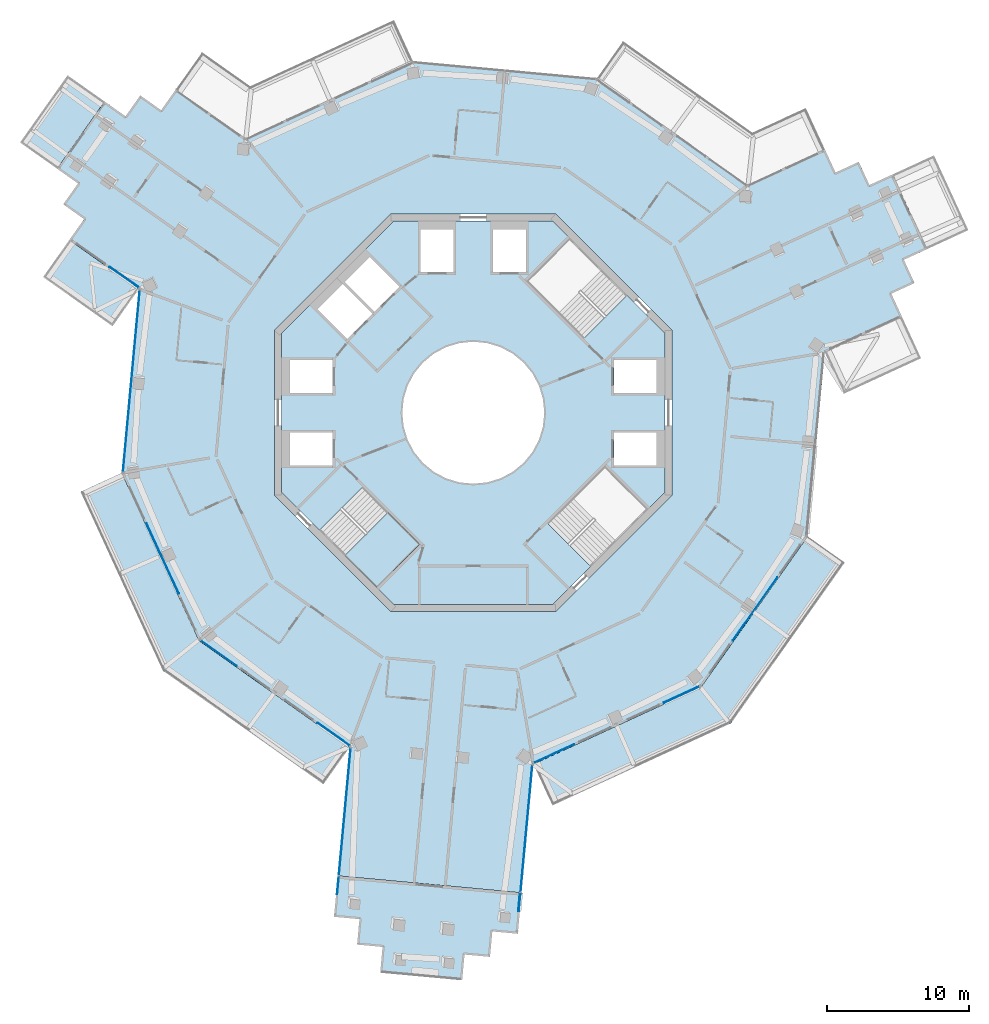
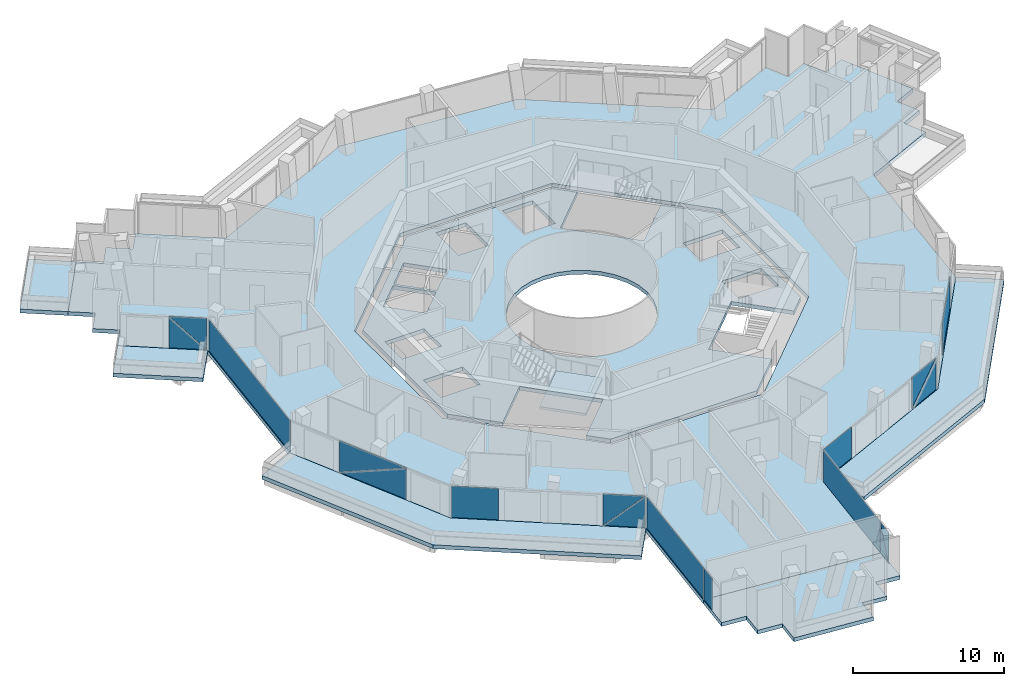
# One storey, part 12 of 23: 17 plates, 8 slabs, 9 elements without a shape of their own.
"""IFC4 building model written with IfcOpenShell, lengths in metres."""

from ifc_helpers import new_model, si_unit, direction, frame, origin, origin_2d, place, context, subcontext, project, spatial, polyline, rectangle, outline, extrude, material, layer, layer_set, type_object, element, aggregate, save


model = new_model("IFC4")

# Units and contexts
model_context = context("Model", 3, precision=1e-05, world=origin(), true_north=direction((0.0, 1.0)))
body_context = subcontext(model_context, "Body", "Model", "MODEL_VIEW")
ifc_project = project(units=[si_unit("LENGTHUNIT", "METRE"), si_unit("AREAUNIT", "SQUARE_METRE"), si_unit("VOLUMEUNIT", "CUBIC_METRE"), si_unit("PLANEANGLEUNIT", "RADIAN"), si_unit("MASSUNIT", "GRAM", prefix="KILO")], contexts=[model_context])

# Site, building, storey
site_placement = place(None, origin())
site = spatial("IfcSite", under=ifc_project, at=site_placement, CompositionType="ELEMENT")
building_placement = place(site_placement, origin())
building = spatial("IfcBuilding", under=site, at=building_placement, Name="Verdalira Terraces Hotel", CompositionType="ELEMENT")
storey_placement = place(building_placement, frame((0.0, 0.0, 256.0)))
storey = spatial("IfcBuildingStorey", under=building, at=storey_placement, Name="L63", CompositionType="ELEMENT", Elevation=256.0)

# Slabs
ifc_material_1 = material(Name="Precast concrete C40/50", Category="concrete")
ifc_layer_1 = layer(ifc_material_1, 0.31005859375)
ifc_layer_set_1 = layer_set([ifc_layer_1], Name="Balcony deck 310")
slab_type_1 = type_object("IfcSlabType", Name="Balcony deck 310", PredefinedType="FLOOR", material=ifc_layer_set_1)
slab_1_placement = place(storey_placement, frame((0.0, 0.0, -0.310059)))
element("IfcSlab", 1, at=slab_1_placement, inside=storey, type_object=slab_type_1, Name="Balcony deck", PredefinedType="FLOOR", context=body_context, shape_type="SweptSolid", body=[
    extrude(outline(polyline([(-31.923584, 19.033936), (-29.311279, 17.185791), (-25.961426, 21.920654), (-28.57373, 23.768799), (-31.923584, 19.033936)])), origin(), (0.0, 0.0, 1.0), 0.310059),
])
slab_2_placement = place(storey_placement, frame((0.0, 0.0, -0.310059)))
element("IfcSlab", 2, at=slab_2_placement, inside=storey, type_object=slab_type_1, Name="Balcony deck", PredefinedType="FLOOR", context=body_context, shape_type="SweptSolid", body=[
    extrude(outline(polyline([(-25.405518, 6.092529), (-23.557129, 8.704834), (-28.451904, 12.167725), (-30.300049, 9.55542), (-25.405518, 6.092529)])), origin(), (0.0, 0.0, 1.0), 0.310059),
])
slab_3_placement = place(storey_placement, frame((0.0, 0.0, -0.310059)))
element("IfcSlab", 3, at=slab_3_placement, inside=storey, type_object=slab_type_1, Name="Balcony deck", PredefinedType="FLOOR", context=body_context, shape_type="SweptSolid", body=[
    extrude(outline(polyline([(-21.865234, -18.165771), (-10.552979, -26.169434), (-8.704834, -23.557129), (-19.317139, -16.048828), (-24.753662, -4.23999), (-27.6604, -5.578369), (-21.865234, -18.165771)])), origin(), (0.0, 0.0, 1.0), 0.310059),
])
slab_4_placement = place(storey_placement, frame((0.0, 0.0, -0.310059)))
element("IfcSlab", 4, at=slab_4_placement, inside=storey, type_object=slab_type_1, Name="Balcony deck", PredefinedType="FLOOR", context=body_context, shape_type="SweptSolid", body=[
    extrude(outline(polyline([(26.169434, -10.552979), (23.557129, -8.704834), (16.048828, -19.317139), (4.23999, -24.753662), (5.578369, -27.6604), (18.165771, -21.865234), (26.169434, -10.552979)])), origin(), (0.0, 0.0, 1.0), 0.310059),
])

# Curtain wall, plate
ifc_material_2 = material(Name="Clear glass", Category="glass")
ifc_layer_2 = layer(ifc_material_2, 0.14990234375)
ifc_layer_set_2 = layer_set([ifc_layer_2], Name="CW1 curtain wall")
curtain_wall_type_1 = type_object("IfcCurtainWallType", Name="CW1 curtain wall", PredefinedType="NOTDEFINED", material=ifc_layer_set_2)
curtain_wall_1_placement = place(storey_placement, origin())
curtain_wall_1 = element("IfcCurtainWall", 5, at=curtain_wall_1_placement, inside=storey, type_object=curtain_wall_type_1, Name="CW1 curtain wall L63 edge 11", PredefinedType="NOTDEFINED")
ifc_material_3 = material(Name="Clear glass", Category="glass")
ifc_layer_3 = layer(ifc_material_3, 0.028076171875)
ifc_layer_set_3 = layer_set([ifc_layer_3], Name="CW1 glass unit 28")
plate_type_1 = type_object("IfcPlateType", Name="CW1 glass unit 28", PredefinedType="CURTAIN_PANEL", material=ifc_layer_set_3)
plate_1_placement = place(storey_placement, frame((-24.078857, 2.245361, 0.0), z_axis=(0.0, 0.0, 1.0), x_axis=(-0.092023008, -0.995756881, 0.0)))
plate_1 = element("IfcPlate", 6, at=plate_1_placement, type_object=plate_type_1, Name="CW1 glass unit", PredefinedType="CURTAIN_PANEL", context=body_context, shape_type="SweptSolid", body=[
    extrude(rectangle(XDim=12.839844, YDim=0.028076, at=origin_2d()), origin(), (0.0, 0.0, 1.0), 2.524902),
])
aggregate(curtain_wall_1, [plate_1])

# Curtain wall, plates
curtain_wall_2_placement = place(storey_placement, origin())
curtain_wall_2 = element("IfcCurtainWall", 7, at=curtain_wall_2_placement, inside=storey, type_object=curtain_wall_type_1, Name="CW1 curtain wall L63 edge 12", PredefinedType="NOTDEFINED")
plate_2_placement = place(storey_placement, frame((-21.879395, -10.270264, 1.262451), z_axis=(-0.908362259, -0.418184178, 0.0), x_axis=(0.418184178, -0.908362259, 0.0)))
plate_2 = element("IfcPlate", 8, at=plate_2_placement, type_object=plate_type_1, Name="CW1 glass unit", PredefinedType="CURTAIN_PANEL", context=body_context, shape_type="SweptSolid", body=[
    extrude(outline(polyline([(-2.716309, -1.262451), (2.716309, -1.262451), (2.716309, 1.262451), (-2.716309, -1.262451)])), origin(), (0.0, 0.0, 1.0), 0.028076),
])
plate_3_placement = place(storey_placement, frame((-21.853027, -10.258057, 1.262451), z_axis=(-0.908362259, -0.418184178, 0.0), x_axis=(0.418184178, -0.908362259, 0.0)))
plate_3 = element("IfcPlate", 9, at=plate_3_placement, type_object=plate_type_1, Name="CW1 glass unit", PredefinedType="CURTAIN_PANEL", context=body_context, shape_type="SweptSolid", body=[
    extrude(outline(polyline([(-2.716309, -1.262451), (2.716309, 1.262451), (-2.716309, 1.262451), (-2.716309, -1.262451)])), origin(), (0.0, 0.0, 1.0), 0.028076),
])
aggregate(curtain_wall_2, [plate_2, plate_3])

curtain_wall_3_placement = place(storey_placement, origin())
curtain_wall_3 = element("IfcCurtainWall", 10, at=curtain_wall_3_placement, inside=storey, type_object=curtain_wall_type_1, Name="CW1 curtain wall L63 edge 13", PredefinedType="NOTDEFINED")
plate_4_placement = place(storey_placement, frame((-17.926758, -16.940674, 0.0), z_axis=(0.0, 0.0, 1.0), x_axis=(0.816339251, -0.577572703, 0.0)))
plate_4 = element("IfcPlate", 11, at=plate_4_placement, type_object=plate_type_1, Name="CW1 glass unit", PredefinedType="CURTAIN_PANEL", context=body_context, shape_type="SweptSolid", body=[
    extrude(rectangle(XDim=3.099854, YDim=0.028076, at=origin_2d()), origin(), (0.0, 0.0, 1.0), 2.524902),
])
plate_5_placement = place(storey_placement, frame((-9.836426, -22.647461, 1.262451), z_axis=(-0.577572703, -0.816339251, 0.0), x_axis=(0.816339251, -0.577572703, 0.0)))
plate_5 = element("IfcPlate", 12, at=plate_5_placement, type_object=plate_type_1, Name="CW1 glass unit", PredefinedType="CURTAIN_PANEL", context=body_context, shape_type="SweptSolid", body=[
    extrude(outline(polyline([(-1.389404, -1.262451), (1.389404, -1.262451), (1.389404, 1.262451), (-1.389404, -1.262451)])), origin(), (0.0, 0.0, 1.0), 0.028076),
])
plate_6_placement = place(storey_placement, frame((-9.81958, -22.623779, 1.262451), z_axis=(-0.577572703, -0.816339251, 0.0), x_axis=(0.816339251, -0.577572703, 0.0)))
plate_6 = element("IfcPlate", 13, at=plate_6_placement, type_object=plate_type_1, Name="CW1 glass unit", PredefinedType="CURTAIN_PANEL", context=body_context, shape_type="SweptSolid", body=[
    extrude(outline(polyline([(-1.389404, -1.262451), (1.389404, 1.262451), (-1.389404, 1.262451), (-1.389404, -1.262451)])), origin(), (0.0, 0.0, 1.0), 0.028076),
])
aggregate(curtain_wall_3, [plate_4, plate_5, plate_6])

curtain_wall_4_placement = place(storey_placement, origin())
curtain_wall_4 = element("IfcCurtainWall", 14, at=curtain_wall_4_placement, inside=storey, type_object=curtain_wall_type_1, Name="CW1 curtain wall L63 edge 25", PredefinedType="NOTDEFINED")
plate_7_placement = place(storey_placement, frame((5.689453, -24.003662, 0.0), z_axis=(0.0, 0.0, 1.0), x_axis=(0.908362259, 0.418184178, 0.0)))
plate_7 = element("IfcPlate", 15, at=plate_7_placement, type_object=plate_type_1, Name="CW1 glass unit", PredefinedType="CURTAIN_PANEL", context=body_context, shape_type="SweptSolid", body=[
    extrude(rectangle(XDim=3.139893, YDim=0.028076, at=origin_2d()), origin(), (0.0, 0.0, 1.0), 2.524902),
])
plate_8_placement = place(storey_placement, frame((14.676758, -19.85083, 1.262451), z_axis=(0.418184178, -0.908362259, 0.0), x_axis=(0.908362259, 0.418184178, 0.0)))
plate_8 = element("IfcPlate", 16, at=plate_8_placement, type_object=plate_type_1, Name="CW1 glass unit", PredefinedType="CURTAIN_PANEL", context=body_context, shape_type="SweptSolid", body=[
    extrude(outline(polyline([(-1.369141, -1.262451), (1.369141, -1.262451), (1.369141, 1.262451), (-1.369141, -1.262451)])), origin(), (0.0, 0.0, 1.0), 0.028076),
])
plate_9_placement = place(storey_placement, frame((14.664551, -19.824463, 1.262451), z_axis=(0.418184178, -0.908362259, 0.0), x_axis=(0.908362259, 0.418184178, 0.0)))
plate_9 = element("IfcPlate", 17, at=plate_9_placement, type_object=plate_type_1, Name="CW1 glass unit", PredefinedType="CURTAIN_PANEL", context=body_context, shape_type="SweptSolid", body=[
    extrude(outline(polyline([(-1.369141, -1.262451), (1.369141, 1.262451), (-1.369141, 1.262451), (-1.369141, -1.262451)])), origin(), (0.0, 0.0, 1.0), 0.028076),
])
aggregate(curtain_wall_4, [plate_7, plate_8, plate_9])

# Curtain wall, plate
curtain_wall_5_placement = place(storey_placement, origin())
curtain_wall_5 = element("IfcCurtainWall", 18, at=curtain_wall_5_placement, inside=storey, type_object=curtain_wall_type_1, Name="CW1 curtain wall L63 edge 26", PredefinedType="NOTDEFINED")
plate_10_placement = place(storey_placement, frame((19.845459, -13.821045, 0.0), z_axis=(0.0, 0.0, 1.0), x_axis=(0.577572703, 0.816339251, 0.0)))
plate_10 = element("IfcPlate", 19, at=plate_10_placement, type_object=plate_type_1, Name="CW1 glass unit", PredefinedType="CURTAIN_PANEL", context=body_context, shape_type="SweptSolid", body=[
    extrude(rectangle(XDim=5.432373, YDim=0.028076, at=origin_2d()), origin(), (0.0, 0.0, 1.0), 2.524902),
])
aggregate(curtain_wall_5, [plate_10])

# Curtain wall, plates
ifc_material_4 = material(Name="Clear glass", Category="glass")
ifc_layer_4 = layer(ifc_material_4, 0.14990234375)
ifc_layer_set_4 = layer_set([ifc_layer_4], Name="CW2 curtain wall")
curtain_wall_type_2 = type_object("IfcCurtainWallType", Name="CW2 curtain wall", PredefinedType="NOTDEFINED", material=ifc_layer_set_4)
curtain_wall_6_placement = place(storey_placement, origin())
curtain_wall_6 = element("IfcCurtainWall", 20, at=curtain_wall_6_placement, inside=storey, type_object=curtain_wall_type_2, Name="CW2 curtain wall L63 edge 10", PredefinedType="NOTDEFINED")
ifc_material_5 = material(Name="Clear glass", Category="glass")
ifc_layer_5 = layer(ifc_material_5, 0.031982421875)
ifc_layer_set_5 = layer_set([ifc_layer_5], Name="CW2 glass unit 32")
plate_type_2 = type_object("IfcPlateType", Name="CW2 glass unit 32", PredefinedType="CURTAIN_PANEL", material=ifc_layer_set_5)
plate_11_placement = place(storey_placement, frame((-24.584473, 9.542969, 1.262451), z_axis=(-0.577572703, -0.816339251, 0.0), x_axis=(0.816339251, -0.577572703, 0.0)))
plate_11 = element("IfcPlate", 21, at=plate_11_placement, type_object=plate_type_2, Name="CW2 glass unit", PredefinedType="CURTAIN_PANEL", context=body_context, shape_type="SweptSolid", body=[
    extrude(outline(polyline([(-1.25293, -1.262451), (1.25293, -1.262451), (-1.25293, 1.262451), (-1.25293, -1.262451)])), origin(), (0.0, 0.0, 1.0), 0.031982),
])
plate_12_placement = place(storey_placement, frame((-24.56543, 9.570068, 1.262451), z_axis=(-0.577572703, -0.816339251, 0.0), x_axis=(0.816339251, -0.577572703, 0.0)))
plate_12 = element("IfcPlate", 22, at=plate_12_placement, type_object=plate_type_2, Name="CW2 glass unit", PredefinedType="CURTAIN_PANEL", context=body_context, shape_type="SweptSolid", body=[
    extrude(outline(polyline([(1.25293, -1.262451), (1.25293, 1.262451), (-1.25293, 1.262451), (1.25293, -1.262451)])), origin(), (0.0, 0.0, 1.0), 0.031982),
])
aggregate(curtain_wall_6, [plate_11, plate_12])

curtain_wall_7_placement = place(storey_placement, origin())
curtain_wall_7 = element("IfcCurtainWall", 23, at=curtain_wall_7_placement, inside=storey, type_object=curtain_wall_type_2, Name="CW2 curtain wall L63 edge 14", PredefinedType="NOTDEFINED")
plate_13_placement = place(storey_placement, frame((-9.049316, -28.100098, 0.0), z_axis=(0.0, 0.0, 1.0), x_axis=(-0.092023008, -0.995756881, 0.0)))
plate_13 = element("IfcPlate", 24, at=plate_13_placement, type_object=plate_type_2, Name="CW2 glass unit", PredefinedType="CURTAIN_PANEL", context=body_context, shape_type="SweptSolid", body=[
    extrude(rectangle(XDim=8.970703, YDim=0.031982, at=origin_2d()), origin(), (0.0, 0.0, 1.0), 2.524902),
])
plate_14_placement = place(storey_placement, frame((-9.527588, -33.276123, 0.0), z_axis=(0.0, 0.0, 1.0), x_axis=(-0.092023008, -0.995756881, 0.0)))
plate_14 = element("IfcPlate", 25, at=plate_14_placement, type_object=plate_type_2, Name="CW2 glass unit", PredefinedType="CURTAIN_PANEL", context=body_context, shape_type="SweptSolid", body=[
    extrude(rectangle(XDim=1.284912, YDim=0.031982, at=origin_2d()), origin(), (0.0, 0.0, 1.0), 2.524902),
])
aggregate(curtain_wall_7, [plate_13, plate_14])

curtain_wall_8_placement = place(storey_placement, origin())
curtain_wall_8 = element("IfcCurtainWall", 26, at=curtain_wall_8_placement, inside=storey, type_object=curtain_wall_type_2, Name="CW2 curtain wall L63 edge 24", PredefinedType="NOTDEFINED")
plate_15_placement = place(storey_placement, frame((3.251221, -34.467041, 1.262451), z_axis=(0.995756881, -0.092023008, 0.0), x_axis=(0.092023008, 0.995756881, 0.0)))
plate_15 = element("IfcPlate", 27, at=plate_15_placement, type_object=plate_type_2, Name="CW2 glass unit", PredefinedType="CURTAIN_PANEL", context=body_context, shape_type="SweptSolid", body=[
    extrude(outline(polyline([(-0.652344, -1.262451), (0.652344, -1.262451), (0.652344, 1.262451), (-0.652344, -1.262451)])), origin(), (0.0, 0.0, 1.0), 0.031982),
])
plate_16_placement = place(storey_placement, frame((3.218262, -34.464111, 1.262451), z_axis=(0.995756881, -0.092023008, 0.0), x_axis=(0.092023008, 0.995756881, 0.0)))
plate_16 = element("IfcPlate", 28, at=plate_16_placement, type_object=plate_type_2, Name="CW2 glass unit", PredefinedType="CURTAIN_PANEL", context=body_context, shape_type="SweptSolid", body=[
    extrude(outline(polyline([(-0.652344, -1.262451), (0.652344, 1.262451), (-0.652344, 1.262451), (-0.652344, -1.262451)])), origin(), (0.0, 0.0, 1.0), 0.031982),
])
plate_17_placement = place(storey_placement, frame((3.746094, -29.282715, 0.0), z_axis=(0.0, 0.0, 1.0), x_axis=(0.092023008, 0.995756881, 0.0)))
plate_17 = element("IfcPlate", 29, at=plate_17_placement, type_object=plate_type_2, Name="CW2 glass unit", PredefinedType="CURTAIN_PANEL", context=body_context, shape_type="SweptSolid", body=[
    extrude(rectangle(XDim=8.970703, YDim=0.031982, at=origin_2d()), origin(), (0.0, 0.0, 1.0), 2.524902),
])
aggregate(curtain_wall_8, [plate_15, plate_16, plate_17])

# Slab
ifc_material_6 = material(Name="Concrete C40", Category="concrete")
ifc_layer_6 = layer(ifc_material_6, 0.31005859375)
ifc_layer_set_6 = layer_set([ifc_layer_6], Name="Core floor slab 310 mm")
slab_type_2 = type_object("IfcSlabType", Name="Core floor slab 310 mm", PredefinedType="FLOOR", material=ifc_layer_set_6)
slab_5_placement = place(storey_placement, frame((0.0, 0.0, -0.310059)))
element("IfcSlab", 30, at=slab_5_placement, inside=storey, type_object=slab_type_2, Name="L63 core floor", PredefinedType="FLOOR", context=body_context, shape_type="SweptSolid", body=[
    extrude(outline(polyline([(-6.77417, -12.317871), (-3.719482, -9.263184), (-7.763672, -5.21875), (-10.818359, -8.273438), (-13.5, -5.591797), (-13.5, 5.591797), (-5.591797, 13.5), (5.591797, 13.5), (6.77417, 12.317871), (3.719482, 9.263184), (7.763672, 5.21875), (10.818359, 8.273438), (13.5, 5.591797), (13.5, -5.591797), (12.317871, -6.77417), (9.263184, -3.719482), (5.21875, -7.763672), (8.273438, -10.818359), (5.591797, -13.5), (-5.591797, -13.5), (-6.77417, -12.317871)]), holes=[polyline([(9.899902, -1.399902), (9.899902, -3.699951), (12.899902, -3.699951), (12.899902, -1.399902), (9.899902, -1.399902)]), polyline([(9.899902, 3.699951), (9.899902, 1.399902), (12.899902, 1.399902), (12.899902, 3.699951), (9.899902, 3.699951)]), polyline([(3.699951, 12.899902), (1.399902, 12.899902), (1.399902, 9.899902), (3.699951, 9.899902), (3.699951, 12.899902)]), polyline([(-1.399902, 12.899902), (-3.699951, 12.899902), (-3.699951, 9.899902), (-1.399902, 9.899902), (-1.399902, 12.899902)]), polyline([(-9.899902, 1.399902), (-9.899902, 3.699951), (-12.899902, 3.699951), (-12.899902, 1.399902), (-9.899902, 1.399902)]), polyline([(-9.899902, -3.699951), (-9.899902, -1.399902), (-12.899902, -1.399902), (-12.899902, -3.699951), (-9.899902, -3.699951)]), polyline([(-9.051025, 9.192383), (-6.965088, 7.106445), (-5.197266, 8.874268), (-7.283203, 10.960205), (-9.051025, 9.192383)]), polyline([(-9.192383, 9.051025), (-10.960205, 7.283203), (-8.874268, 5.197266), (-7.106445, 6.965088), (-9.192383, 9.051025)]), polyline([(3.5354, 3.5354), (2.777832, 4.157227), (1.91333, 4.619385), (0.975586, 4.903809), (0.0, 5.0), (-0.975586, 4.903809), (-1.91333, 4.619385), (-2.777832, 4.157227), (-3.5354, 3.5354), (-4.157227, 2.777832), (-4.619385, 1.91333), (-4.903809, 0.975586), (-5.0, 0.0), (-4.903809, -0.975586), (-4.619385, -1.91333), (-4.157227, -2.777832), (-3.5354, -3.5354), (-2.777832, -4.157227), (-1.91333, -4.619385), (-0.975586, -4.903809), (0.0, -5.0), (0.975586, -4.903809), (1.91333, -4.619385), (2.777832, -4.157227), (3.5354, -3.5354), (4.157227, -2.777832), (4.619385, -1.91333), (4.903809, -0.975586), (5.0, 0.0), (4.903809, 0.975586), (4.619385, 1.91333), (4.157227, 2.777832), (3.5354, 3.5354)])]), origin(), (0.0, 0.0, 1.0), 0.310059),
])

# Stair, slab
ifc_material_7 = material(Name="Concrete C40", Category="concrete")
stair_type = type_object("IfcStairType", Name="Core stair 20 risers 2100 mm wide", PredefinedType="HALF_TURN_STAIR", material=ifc_material_7)
stair_placement = place(storey_placement, origin())
stair = element("IfcStair", 31, at=stair_placement, inside=storey, type_object=stair_type, Name="L63 Exit stair ST2", PredefinedType="HALF_TURN_STAIR")
ifc_material_8 = material(Name="Concrete C40", Category="concrete")
ifc_layer_7 = layer(ifc_material_8, 0.199951171875)
ifc_layer_set_7 = layer_set([ifc_layer_7], Name="Core stair landing 200 mm")
slab_type_3 = type_object("IfcSlabType", Name="Core stair landing 200 mm", PredefinedType="LANDING", material=ifc_layer_set_7)
slab_6_placement = place(storey_placement, frame((0.0, 0.0, 1.550049)))
slab_6 = element("IfcSlab", 32, at=slab_6_placement, type_object=slab_type_3, Name="ST2 landing 1", PredefinedType="LANDING", context=body_context, shape_type="SweptSolid", body=[
    extrude(outline(polyline([(-9.037109, -10.054688), (-6.78833, -12.303711), (-3.747559, -9.263184), (-5.996582, -7.01416), (-9.037109, -10.054688)])), origin(), (0.0, 0.0, 1.0), 0.199951),
])
aggregate(stair, [slab_6])

# Slabs
ifc_material_9 = material(Name="Concrete C40", Category="concrete")
ifc_layer_8 = layer(ifc_material_9, 0.31005859375)
ifc_layer_set_8 = layer_set([ifc_layer_8], Name="Floor slab 310 C40")
slab_type_4 = type_object("IfcSlabType", Name="Floor slab 310 C40", PredefinedType="FLOOR", material=ifc_layer_set_8)
slab_7_placement = place(storey_placement, frame((0.0, 0.0, -0.310059)))
element("IfcSlab", 33, at=slab_7_placement, inside=storey, type_object=slab_type_4, Name="Floor slab L63", PredefinedType="FLOOR", context=body_context, shape_type="SweptSolid", body=[
    extrude(outline(polyline([(-19.317139, -16.048828), (-8.70459, -23.557129), (-9.541748, -32.614014), (3.403076, -33.810303), (4.23999, -24.753418), (16.048828, -19.317139), (23.557129, -8.70459), (24.753418, 4.23999), (30.199951, 6.747314), (29.447266, 8.382568), (31.082275, 9.135254), (30.32959, 10.770264), (31.9646, 11.522949), (29.539062, 16.791504), (27.904053, 16.038818), (27.151367, 17.673828), (25.516113, 16.921143), (24.763428, 18.556152), (19.317139, 16.048828), (8.70459, 23.557129), (-4.23999, 24.753418), (-16.048828, 19.317139), (-20.943359, 22.780029), (-21.98291, 21.310791), (-23.452393, 22.350342), (-24.492188, 20.881104), (-25.961426, 21.920654), (-29.311279, 17.185791), (-27.842041, 16.14624), (-28.881592, 14.676758), (-27.412109, 13.637207), (-28.451904, 12.167725), (-23.557129, 8.70459), (-24.753418, -4.23999), (-19.317139, -16.048828)]), holes=[polyline([(5.799072, 14.0), (14.0, 5.799072), (14.0, -5.799072), (5.799072, -14.0), (-5.799072, -14.0), (-14.0, -5.799072), (-14.0, 5.799072), (-5.799072, 14.0), (5.799072, 14.0)])]), origin(), (0.0, 0.0, 1.0), 0.310059),
])
ifc_material_10 = material(Name="Concrete C40", Category="concrete")
ifc_layer_9 = layer(ifc_material_10, 0.31005859375)
ifc_layer_set_9 = layer_set([ifc_layer_9], Name="Loggia floor deck 310 C40")
slab_type_5 = type_object("IfcSlabType", Name="Loggia floor deck 310 C40", PredefinedType="FLOOR", material=ifc_layer_set_9)
slab_8_placement = place(storey_placement, frame((0.0, 0.0, -0.310059)))
element("IfcSlab", 34, at=slab_8_placement, inside=storey, type_object=slab_type_5, Name="Loggia deck L63", PredefinedType="FLOOR", context=body_context, shape_type="SweptSolid", body=[
    extrude(outline(polyline([(3.13623, -36.698486), (3.403076, -33.810791), (-9.541748, -32.614502), (-9.808594, -35.502197), (-8.016357, -35.667725), (-8.181885, -37.460205), (-6.389404, -37.625732), (-6.555176, -39.418213), (-0.779785, -39.951904), (-0.614258, -38.159424), (1.178223, -38.325195), (1.34375, -36.532715), (3.13623, -36.698486)])), origin(), (0.0, 0.0, 1.0), 0.310059),
])

save(model, "model.ifc")
